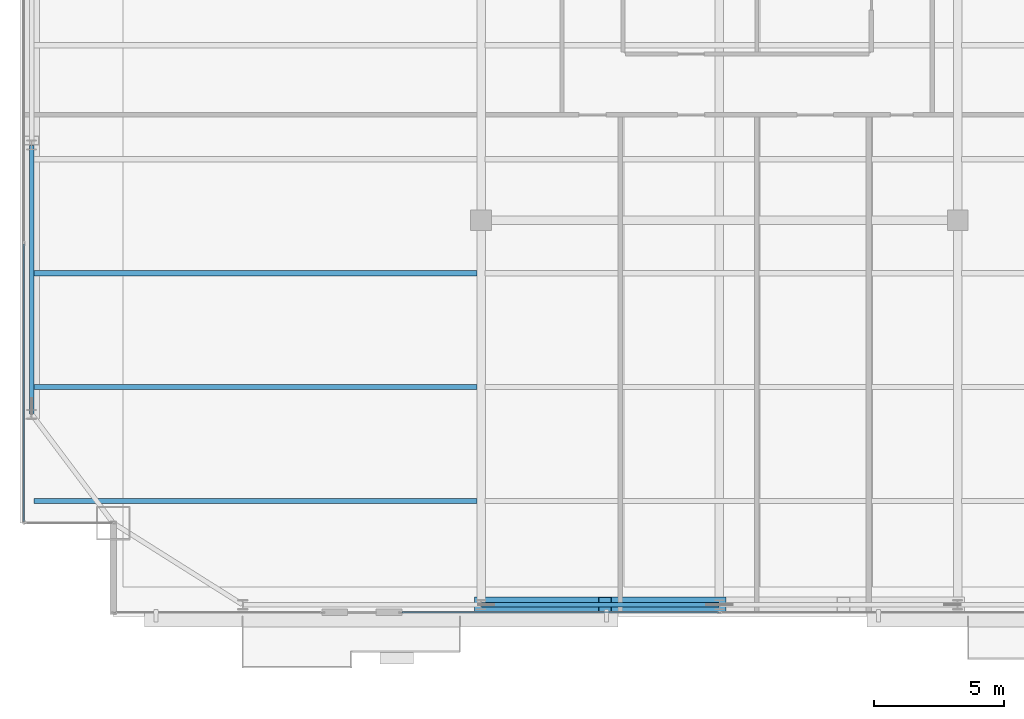
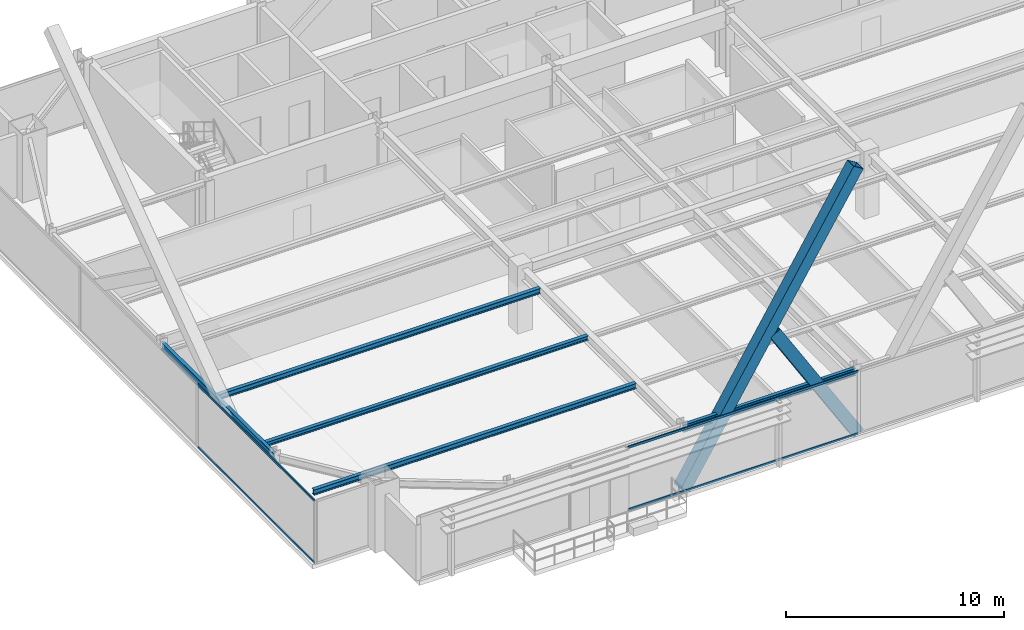
# One storey, part 7 of 34: 6 members, 5 beams, 2 elements without a shape of their own.
"""IFC4 building model written with IfcOpenShell, lengths in metres."""

from ifc_helpers import new_model, si_unit, direction, frame, origin, origin_2d, place, context, subcontext, project, spatial, hollow_rectangle, i_section, extrude, source, transform, mapped, material, layer, layer_set, material_profile, profile_set, type_object, type_shapes, element, aggregate, save


model = new_model("IFC4")

# Units and contexts
model_context = context("Model", 3, precision=1e-05, world=origin(), true_north=direction((0.0, 1.0)))
body_context = subcontext(model_context, "Body", "Model", "MODEL_VIEW")
ifc_project = project(units=[si_unit("LENGTHUNIT", "METRE"), si_unit("AREAUNIT", "SQUARE_METRE"), si_unit("VOLUMEUNIT", "CUBIC_METRE"), si_unit("PLANEANGLEUNIT", "RADIAN"), si_unit("MASSUNIT", "GRAM", prefix="KILO")], contexts=[model_context])

# Site, building, storey
site_placement = place(None, origin())
site = spatial("IfcSite", under=ifc_project, at=site_placement, CompositionType="ELEMENT")
building_placement = place(site_placement, origin())
building = spatial("IfcBuilding", under=site, at=building_placement, Name="Varnel Quay Broadcast Tower", CompositionType="ELEMENT")
storey_placement = place(building_placement, frame((0.0, 0.0, 161.0)))
storey = spatial("IfcBuildingStorey", under=building, at=storey_placement, Name="L39", CompositionType="ELEMENT", Elevation=161.0)

# Beams
ifc_material_1 = material(Name="Structural Steel CSA G40.21 350W", Category="steel")
ifc_material_profile_1 = material_profile(ifc_material_1, i_section(OverallWidth=0.180908203125, OverallDepth=0.4169921875, WebThickness=0.010986328125, FlangeThickness=0.018310546875, FilletRadius=0.011962890625, at=origin_2d()), Name="W410X85")
ifc_profile_set_1 = profile_set([ifc_material_profile_1], Name="Structural Steel CSA G40.21 350W")
beam_type_1 = type_object("IfcBeamType", Name="Beam_W410X85", PredefinedType="SPANDREL", material=ifc_profile_set_1)
shared_shape_1 = source(origin(), body_context, "Body", "SweptSolid", [
    extrude(i_section(OverallWidth=0.180908203125, OverallDepth=0.4169921875, WebThickness=0.010986328125, FlangeThickness=0.018310546875, FilletRadius=0.011962890625, at=origin_2d()), origin(), (0.0, 0.0, 1.0), 9.159912109375),
])
beam_1_placement = place(storey_placement, frame((24.820068359375, 7.64990234375, 3.341552734375), z_axis=(1.0, 0.0, 0.0), x_axis=(0.0, 1.0, 0.0)))
element("IfcBeam", 1, at=beam_1_placement, inside=storey, type_object=beam_type_1, Name="L39 South Spandrel TC-S2-TC-S3", PredefinedType="SPANDREL", context=body_context, shape_type="MappedRepresentation", body=[
    mapped(shared_shape_1, transform((0.0, 0.0, 0.0), x_axis=(1.0, 0.0, 0.0), y_axis=(0.0, 1.0, 0.0), z_axis=(0.0, 0.0, 1.0), scale=1.0)),
])
shared_shape_2 = source(origin(), body_context, "Body", "SweptSolid", [
    extrude(i_section(OverallWidth=0.180908203125, OverallDepth=0.4169921875, WebThickness=0.010986328125, FlangeThickness=0.018310546875, FilletRadius=0.011962890625, at=origin_2d()), origin(), (0.0, 0.0, 1.0), 10.35986328125),
])
type_shapes(beam_type_1, [shared_shape_1, shared_shape_2])
beam_2_placement = place(storey_placement, frame((7.449951171875, 15.02001953125, 3.341552734375), z_axis=(0.0, 1.0, 0.0), x_axis=(-1.0, 0.0, 0.0)))
element("IfcBeam", 2, at=beam_2_placement, inside=storey, type_object=beam_type_1, Name="L39 West Spandrel TC-W1-TC-W2", PredefinedType="SPANDREL", context=body_context, shape_type="MappedRepresentation", body=[
    mapped(shared_shape_2, transform((0.0, 0.0, 0.0), x_axis=(1.0, 0.0, 0.0), y_axis=(0.0, 1.0, 0.0), z_axis=(0.0, 0.0, 1.0), scale=1.0)),
])
ifc_material_profile_2 = material_profile(ifc_material_1, i_section(OverallWidth=0.202880859375, OverallDepth=0.302978515625, WebThickness=0.007568359375, FlangeThickness=0.01318359375, FilletRadius=0.011962890625, at=origin_2d()), Name="W310X60")
ifc_profile_set_2 = profile_set([ifc_material_profile_2], Name="Structural Steel CSA G40.21 350W")
beam_type_2 = type_object("IfcBeamType", Name="Beam_W310X60", PredefinedType="JOIST", material=ifc_profile_set_2)
shared_shape_3 = source(origin(), body_context, "Body", "SweptSolid", [
    extrude(i_section(OverallWidth=0.202880859375, OverallDepth=0.302978515625, WebThickness=0.007568359375, FlangeThickness=0.01318359375, FilletRadius=0.011962890625, at=origin_2d()), origin(), (0.0, 0.0, 1.0), 17.107177734375),
])
type_shapes(beam_type_2, [shared_shape_3])
for number, where, z_axis, x_axis, name in (
    (3, (7.535400390625, 11.64990234375, 3.3984375), (1.0, 0.0, 0.0), (0.0, 1.0, 0.0), "L39 West Floor Joist 1"),
    (4, (7.535400390625, 20.449951171875, 3.3984375), (1.0, 0.0, 0.0), (0.0, 1.0, 0.0), "L39 West Floor Joist 3"),
):
    element("IfcBeam", number, at=place(storey_placement, frame(where, z_axis=z_axis, x_axis=x_axis)), inside=storey, type_object=beam_type_2, Name=name, PredefinedType="JOIST", context=body_context, shape_type="MappedRepresentation", body=[
        mapped(shared_shape_3, transform((0.0, 0.0, 0.0), x_axis=(1.0, 0.0, 0.0), y_axis=(0.0, 1.0, 0.0), z_axis=(0.0, 0.0, 1.0), scale=1.0)),
    ])
ifc_material_profile_3 = material_profile(ifc_material_1, i_section(OverallWidth=0.201904296875, OverallDepth=0.2470703125, WebThickness=0.00732421875, FlangeThickness=0.010986328125, FilletRadius=0.010986328125, at=origin_2d()), Name="W250X49")
ifc_profile_set_3 = profile_set([ifc_material_profile_3], Name="Structural Steel CSA G40.21 350W")
beam_type_3 = type_object("IfcBeamType", Name="Beam_W250X49", PredefinedType="JOIST", material=ifc_profile_set_3)
shared_shape_4 = source(origin(), body_context, "Body", "SweptSolid", [
    extrude(i_section(OverallWidth=0.201904296875, OverallDepth=0.2470703125, WebThickness=0.00732421875, FlangeThickness=0.010986328125, FilletRadius=0.010986328125, at=origin_2d()), origin(), (0.0, 0.0, 1.0), 17.107177734375),
])
type_shapes(beam_type_3, [shared_shape_4])
beam_3_placement = place(storey_placement, frame((7.535400390625, 16.050048828125, 3.426513671875), z_axis=(1.0, 0.0, 0.0), x_axis=(0.0, 1.0, 0.0)))
element("IfcBeam", 5, at=beam_3_placement, inside=storey, type_object=beam_type_3, Name="L39 West Floor Joist 2", PredefinedType="JOIST", context=body_context, shape_type="MappedRepresentation", body=[
    mapped(shared_shape_4, transform((0.0, 0.0, 0.0), x_axis=(1.0, 0.0, 0.0), y_axis=(0.0, 1.0, 0.0), z_axis=(0.0, 0.0, 1.0), scale=1.0)),
])

# Members
ifc_material_2 = material(Name="Structural Steel CSA G40.21 350WT", Category="steel")
ifc_material_profile_4 = material_profile(ifc_material_2, hollow_rectangle(XDim=0.60009765625, YDim=0.60009765625, WallThickness=0.028076171875, at=origin_2d()), Name="BOX600X600X28")
ifc_profile_set_4 = profile_set([ifc_material_profile_4], Name="Structural Steel CSA G40.21 350WT")
member_type_1 = type_object("IfcMemberType", Name="Brace_BOX600X600X28", PredefinedType="BRACE", material=ifc_profile_set_4)
shared_shape_5 = source(origin(), body_context, "Body", "SweptSolid", [
    extrude(hollow_rectangle(XDim=0.60009765625, YDim=0.60009765625, WallThickness=0.028076171875, at=origin_2d()), origin(), (0.0, 0.0, 1.0), 17.519775390625),
])
member_1_placement = place(storey_placement, frame((24.800048828125, 7.64990234375, 0.02001953125), z_axis=(0.525116345996, 0.0, 0.85103044785), x_axis=(0.0, 1.0, 0.0)))
element("IfcMember", 6, at=member_1_placement, inside=storey, type_object=member_type_1, Name="Zone 3 Mega-Brace S-C1T2 Continuous Diag A", PredefinedType="BRACE", context=body_context, shape_type="MappedRepresentation", body=[
    mapped(shared_shape_5, transform((0.0, 0.0, 0.0), x_axis=(1.0, 0.0, 0.0), y_axis=(0.0, 1.0, 0.0), z_axis=(0.0, 0.0, 1.0), scale=1.0)),
])
shared_shape_6 = source(origin(), body_context, "Body", "SweptSolid", [
    extrude(hollow_rectangle(XDim=0.60009765625, YDim=0.60009765625, WallThickness=0.028076171875, at=origin_2d()), origin(), (0.0, 0.0, 1.0), 8.399169921875),
])
type_shapes(member_type_1, [shared_shape_5, shared_shape_6])
member_2_placement = place(storey_placement, frame((34.0, 7.64990234375, 0.02001953125), z_axis=(-0.525125243666, 0.0, 0.851024957604), x_axis=(0.0, -1.0, 0.0)))
element("IfcMember", 7, at=member_2_placement, inside=storey, type_object=member_type_1, Name="Zone 3 Mega-Brace S-C1T2 Split Diag B1", PredefinedType="BRACE", context=body_context, shape_type="MappedRepresentation", body=[
    mapped(shared_shape_6, transform((0.0, 0.0, 0.0), x_axis=(1.0, 0.0, 0.0), y_axis=(0.0, 1.0, 0.0), z_axis=(0.0, 0.0, 1.0), scale=1.0)),
])

# Curtain wall, members
ifc_material_3 = material(Name="Anodised Bronze Aluminium 6063-T6", Category="aluminium")
ifc_layer = layer(ifc_material_3, 0.18994140625, Name="Anodised Bronze Aluminium 6063-T6")
ifc_layer_set = layer_set([ifc_layer], Name="Anodised Bronze Aluminium 6063-T6")
curtain_wall_type = type_object("IfcCurtainWallType", Name="CW_UpperTower", PredefinedType="NOTDEFINED", material=ifc_layer_set)
curtain_wall_1_placement = place(storey_placement, origin())
curtain_wall_1 = element("IfcCurtainWall", 8, at=curtain_wall_1_placement, inside=storey, type_object=curtain_wall_type, Name="L39 West Unitised Curtain Wall", PredefinedType="NOTDEFINED")
ifc_material_profile_5 = material_profile(ifc_material_3, hollow_rectangle(XDim=0.06005859375, YDim=0.125, WallThickness=0.0029296875, at=origin_2d()), Name="ALU60X125X3")
ifc_profile_set_5 = profile_set([ifc_material_profile_5], Name="Anodised Bronze Aluminium 6063-T6")
member_type_2 = type_object("IfcMemberType", Name="Tran_CWS-03", PredefinedType="USERDEFINED", material=ifc_profile_set_5)
shared_shape_7 = source(origin(), body_context, "Body", "SweptSolid", [
    extrude(hollow_rectangle(XDim=0.06005859375, YDim=0.125, WallThickness=0.0029296875, at=origin_2d()), origin(), (0.0, 0.0, 1.0), 10.702392578125),
])
member_3_placement = place(storey_placement, frame((7.14990234375, 10.864990234375, 0.030029296875), z_axis=(0.0, 1.0, 0.0), x_axis=(-1.0, 0.0, 0.0)))
member_3 = element("IfcMember", 9, at=member_3_placement, type_object=member_type_2, Name="CWS-03 transom 1.1", ObjectType="TRANSOM", PredefinedType="USERDEFINED", context=body_context, shape_type="MappedRepresentation", body=[
    mapped(shared_shape_7, transform((0.0, 0.0, 0.0), x_axis=(1.0, 0.0, 0.0), y_axis=(0.0, 1.0, 0.0), z_axis=(0.0, 0.0, 1.0), scale=1.0)),
])
member_4_placement = place(storey_placement, frame((7.14990234375, 10.864990234375, 3.52001953125), z_axis=(0.0, 1.0, 0.0), x_axis=(-1.0, 0.0, 0.0)))
member_4 = element("IfcMember", 10, at=member_4_placement, type_object=member_type_2, Name="CWS-03 transom 1.2", ObjectType="TRANSOM", PredefinedType="USERDEFINED", context=body_context, shape_type="MappedRepresentation", body=[
    mapped(shared_shape_7, transform((0.0, 0.0, 0.0), x_axis=(1.0, 0.0, 0.0), y_axis=(0.0, 1.0, 0.0), z_axis=(0.0, 0.0, 1.0), scale=1.0)),
])
aggregate(curtain_wall_1, [member_3, member_4])

curtain_wall_2_placement = place(storey_placement, origin())
curtain_wall_2 = element("IfcCurtainWall", 11, at=curtain_wall_2_placement, inside=storey, type_object=curtain_wall_type, Name="L39 South Unitised Curtain Wall 2", PredefinedType="NOTDEFINED")
shared_shape_8 = source(origin(), body_context, "Body", "SweptSolid", [
    extrude(hollow_rectangle(XDim=0.06005859375, YDim=0.125, WallThickness=0.0029296875, at=origin_2d()), origin(), (0.0, 0.0, 1.0), 12.222412109375),
])
type_shapes(member_type_2, [shared_shape_7, shared_shape_8])
member_5_placement = place(storey_placement, frame((21.7451171875, 7.35009765625, 0.030029296875), z_axis=(1.0, 0.0, 0.0), x_axis=(0.0, 1.0, 0.0)))
member_5 = element("IfcMember", 12, at=member_5_placement, type_object=member_type_2, Name="CWS-03 transom 1.1", ObjectType="TRANSOM", PredefinedType="USERDEFINED", context=body_context, shape_type="MappedRepresentation", body=[
    mapped(shared_shape_8, transform((0.0, 0.0, 0.0), x_axis=(1.0, 0.0, 0.0), y_axis=(0.0, 1.0, 0.0), z_axis=(0.0, 0.0, 1.0), scale=1.0)),
])
member_6_placement = place(storey_placement, frame((21.7451171875, 7.35009765625, 3.52001953125), z_axis=(1.0, 0.0, 0.0), x_axis=(0.0, 1.0, 0.0)))
member_6 = element("IfcMember", 13, at=member_6_placement, type_object=member_type_2, Name="CWS-03 transom 1.2", ObjectType="TRANSOM", PredefinedType="USERDEFINED", context=body_context, shape_type="MappedRepresentation", body=[
    mapped(shared_shape_8, transform((0.0, 0.0, 0.0), x_axis=(1.0, 0.0, 0.0), y_axis=(0.0, 1.0, 0.0), z_axis=(0.0, 0.0, 1.0), scale=1.0)),
])
aggregate(curtain_wall_2, [member_5, member_6])

save(model, "model.ifc")
